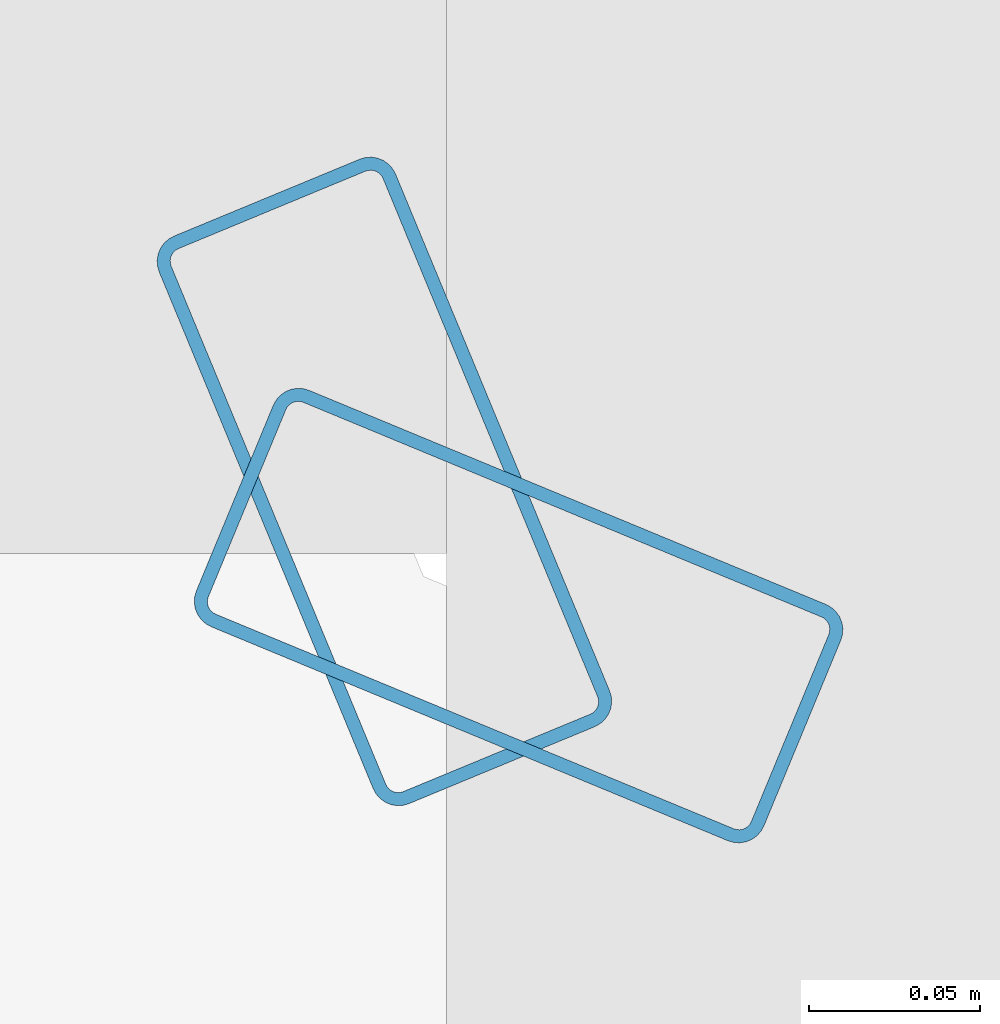
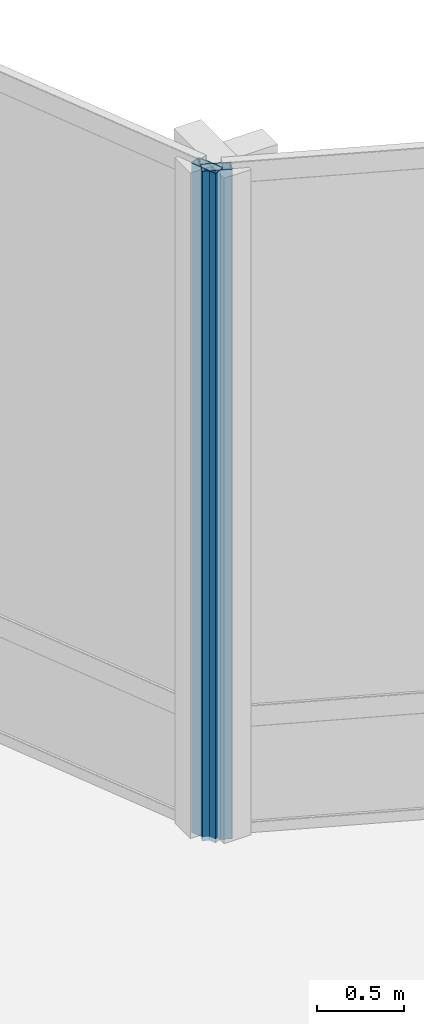
# One storey, part 9 of 33: 2 members, 2 elements without a shape of their own.
"""IFC4 building model written with IfcOpenShell, lengths in metres."""

from ifc_helpers import new_model, si_unit, direction, frame, origin, origin_2d, place, context, subcontext, project, spatial, hollow_rectangle, extrude, material, layer, layer_set, material_profile, profile_set, type_object, element, aggregate, save


model = new_model("IFC4")

# Units and contexts
model_context = context("Model", 3, precision=1e-05, world=origin(), true_north=direction((0.0, 1.0)))
body_context = subcontext(model_context, "Body", "Model", "MODEL_VIEW")
ifc_project = project(units=[si_unit("LENGTHUNIT", "METRE"), si_unit("AREAUNIT", "SQUARE_METRE"), si_unit("VOLUMEUNIT", "CUBIC_METRE"), si_unit("PLANEANGLEUNIT", "RADIAN"), si_unit("MASSUNIT", "GRAM", prefix="KILO")], contexts=[model_context])

# Site, building, storey
site_placement = place(None, origin())
site = spatial("IfcSite", under=ifc_project, at=site_placement, CompositionType="ELEMENT")
building_placement = place(site_placement, origin())
building = spatial("IfcBuilding", under=site, at=building_placement, Name="Solvaryn Broadcast Tower", CompositionType="ELEMENT")
storey_placement = place(building_placement, frame((0.0, 0.0, 105.0)))
storey = spatial("IfcBuildingStorey", under=building, at=storey_placement, Name="L25", CompositionType="ELEMENT", Elevation=105.0)

# Curtain wall, member
ifc_material_1 = material(Name="Aluminium and Terracotta Unitised Curtain Wall", Category="masonry")
ifc_layer = layer(ifc_material_1, 0.25)
ifc_layer_set = layer_set([ifc_layer], Name="CW-SYS4-SKYGARDEN")
curtain_wall_type = type_object("IfcCurtainWallType", Name="CW-SYS4-SKYGARDEN", PredefinedType="NOTDEFINED", material=ifc_layer_set)
curtain_wall_1_placement = place(storey_placement, origin())
curtain_wall_1 = element("IfcCurtainWall", 1, at=curtain_wall_1_placement, inside=storey, type_object=curtain_wall_type, Name="L25 Curtain Wall CN1", PredefinedType="NOTDEFINED")
ifc_material_2 = material(Name="Anodised Aluminium 6063-T6", Category="aluminium")
ifc_material_profile = material_profile(ifc_material_2, hollow_rectangle(XDim=0.074951171875, YDim=0.179931640625, WallThickness=0.00390625, InnerFilletRadius=0.00390625, OuterFilletRadius=0.008056640625, at=origin_2d()))
ifc_profile_set = profile_set([ifc_material_profile], Name="Anodised Aluminium 6063-T6")
member_type = type_object("IfcMemberType", Name="CW-MUL-180", PredefinedType="MULLION", material=ifc_profile_set)
member_1_placement = place(storey_placement, frame((30.395751953125, 30.3564453125, 0.0), z_axis=(0.0, 0.0, 1.0), x_axis=(-0.382646127145, -0.923894983957, 0.0)))
member_1 = element("IfcMember", 2, at=member_1_placement, type_object=member_type, Name="CWS4 mullion 2", PredefinedType="MULLION", context=body_context, shape_type="SweptSolid", body=[
    extrude(hollow_rectangle(XDim=0.074951171875, YDim=0.179931640625, WallThickness=0.00390625, InnerFilletRadius=0.00390625, OuterFilletRadius=0.008056640625, at=origin_2d()), origin(), (0.0, 0.0, 1.0), 4.719970703125),
])
aggregate(curtain_wall_1, [member_1])

curtain_wall_2_placement = place(storey_placement, origin())
curtain_wall_2 = element("IfcCurtainWall", 3, at=curtain_wall_2_placement, inside=storey, type_object=curtain_wall_type, Name="L25 Curtain Wall CN2", PredefinedType="NOTDEFINED")
member_2_placement = place(storey_placement, frame((30.3564453125, 30.395751953125, 0.0), z_axis=(0.0, 0.0, 1.0), x_axis=(-0.923894983957, -0.382646127145, 0.0)))
member_2 = element("IfcMember", 4, at=member_2_placement, type_object=member_type, Name="CWS4 mullion 1", PredefinedType="MULLION", context=body_context, shape_type="SweptSolid", body=[
    extrude(hollow_rectangle(XDim=0.074951171875, YDim=0.179931640625, WallThickness=0.00390625, InnerFilletRadius=0.00390625, OuterFilletRadius=0.008056640625, at=origin_2d()), origin(), (0.0, 0.0, 1.0), 4.719970703125),
])
aggregate(curtain_wall_2, [member_2])

save(model, "model.ifc")
